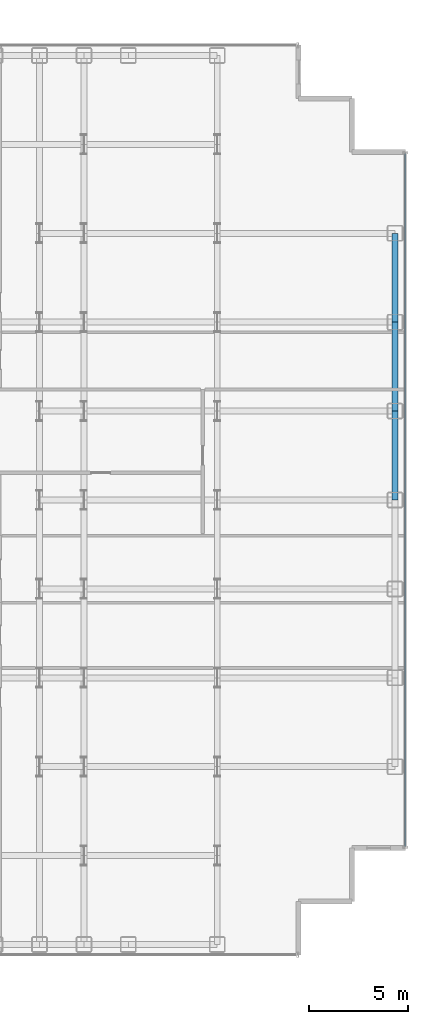
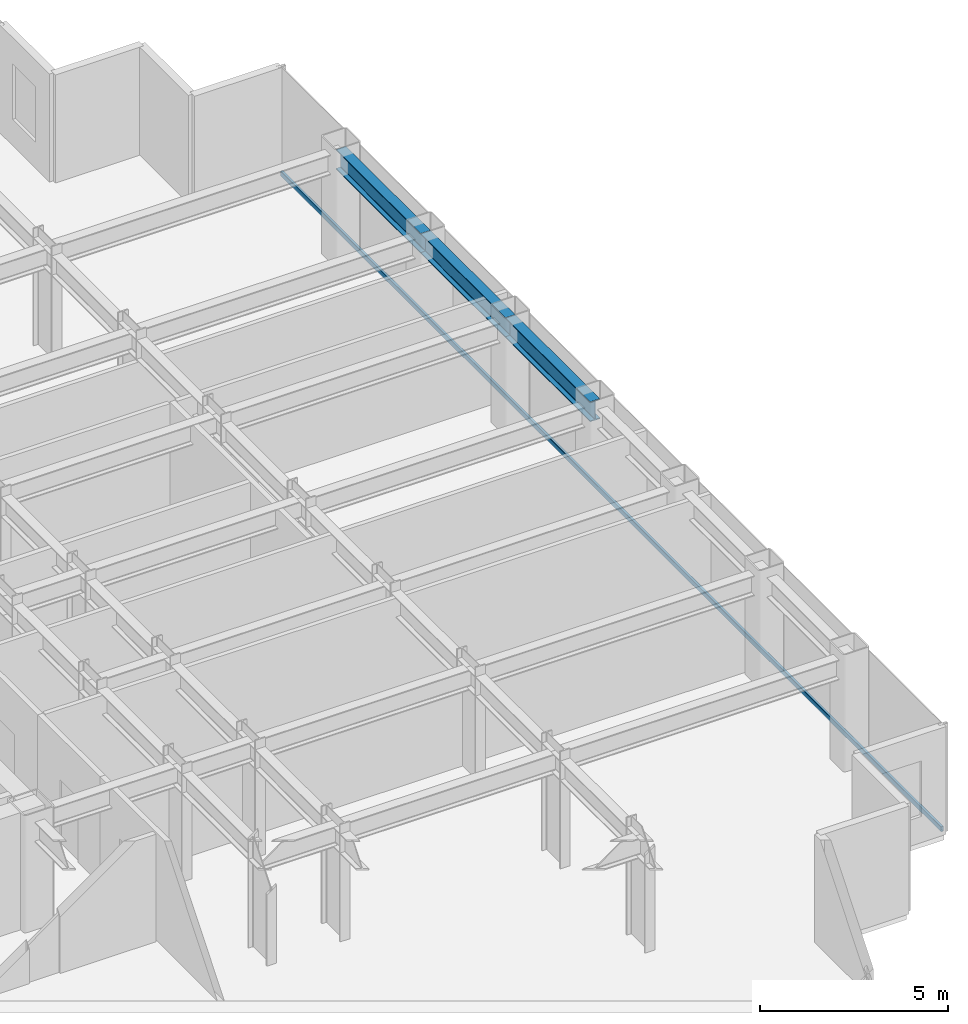
# One storey, part 17 of 26: 3 beams, 1 member, 1 element without a shape of its own.
"""IFC4 building model written with IfcOpenShell, lengths in metres."""

from ifc_helpers import new_model, si_unit, direction, frame, origin, origin_2d, place, context, subcontext, project, spatial, hollow_rectangle, i_section, extrude, source, transform, mapped, material, layer, layer_set, material_profile, profile_set, type_object, element, aggregate, save


model = new_model("IFC4")

# Units and contexts
model_context = context("Model", 3, precision=1e-05, world=origin(), true_north=direction((0.0, 1.0)))
body_context = subcontext(model_context, "Body", "Model", "MODEL_VIEW")
ifc_project = project(units=[si_unit("LENGTHUNIT", "METRE"), si_unit("AREAUNIT", "SQUARE_METRE"), si_unit("VOLUMEUNIT", "CUBIC_METRE"), si_unit("PLANEANGLEUNIT", "RADIAN"), si_unit("MASSUNIT", "GRAM", prefix="KILO")], contexts=[model_context])

# Site, building, storey
site_placement = place(None, origin())
site = spatial("IfcSite", under=ifc_project, at=site_placement, CompositionType="ELEMENT")
building_placement = place(site_placement, origin())
building = spatial("IfcBuilding", under=site, at=building_placement, Name="Nefas-Gora Pilgrimage Tower", CompositionType="ELEMENT")
storey_placement = place(building_placement, frame((0.0, 0.0, 140.199951171875)))
storey = spatial("IfcBuildingStorey", under=building, at=storey_placement, Name="L34", CompositionType="ELEMENT", Elevation=140.199951171875)

# Beams
ifc_material_1 = material(Name="Steel S355", Category="steel")
ifc_material_profile_1 = material_profile(ifc_material_1, i_section(OverallWidth=0.300048828125, OverallDepth=0.64990234375, WebThickness=0.01611328125, FlangeThickness=0.031005859375, FilletRadius=0.027099609375, at=origin_2d()), Name="HEB 650")
ifc_profile_set_1 = profile_set([ifc_material_profile_1], Name="Steel S355")
beam_type = type_object("IfcBeamType", Name="BM-SPN-HEB500", PredefinedType="SPANDREL", material=ifc_profile_set_1)
shared_shape_1 = source(origin(), body_context, "Body", "SweptSolid", [
    extrude(i_section(OverallWidth=0.300048828125, OverallDepth=0.64990234375, WebThickness=0.01611328125, FlangeThickness=0.031005859375, FilletRadius=0.027099609375, at=origin_2d()), origin(), (0.0, 0.0, 1.0), 4.5),
])
for number, where, z_axis, x_axis, name in (
    (1, (33.75, 0.0, 3.175048828125), (0.0, 1.0, 0.0), (-1.0, 0.0, 0.0), "L34 SP-02 beam"),
    (2, (33.75, 4.5, 3.175048828125), (0.0, 1.0, 0.0), (-1.0, 0.0, 0.0), "L34 SP-02 beam"),
    (3, (33.75, 9.0, 3.175048828125), (0.0, 1.0, 0.0), (-1.0, 0.0, 0.0), "L34 SP-02 beam"),
):
    element("IfcBeam", number, at=place(storey_placement, frame(where, z_axis=z_axis, x_axis=x_axis)), inside=storey, type_object=beam_type, Name=name, PredefinedType="SPANDREL", context=body_context, shape_type="MappedRepresentation", body=[
        mapped(shared_shape_1, transform((0.0, 0.0, 0.0), x_axis=(1.0, 0.0, 0.0), y_axis=(0.0, 1.0, 0.0), z_axis=(0.0, 0.0, 1.0), scale=1.0)),
    ])

# Curtain wall, member
ifc_material_2 = material(Name="Dark ceramic-fritted solar-control aluminium-glass curtain wall", Category="aluminium")
ifc_layer = layer(ifc_material_2, 0.219970703125)
ifc_layer_set = layer_set([ifc_layer], Name="Dark ceramic-fritted solar-control aluminium-glass curtain wall")
curtain_wall_type = type_object("IfcCurtainWallType", Name="CW-SYS-2", PredefinedType="NOTDEFINED", material=ifc_layer_set)
curtain_wall_placement = place(storey_placement, origin())
curtain_wall = element("IfcCurtainWall", 4, at=curtain_wall_placement, inside=storey, type_object=curtain_wall_type, Name="L34 Unitised Curtain Wall CW2", PredefinedType="NOTDEFINED")
ifc_material_3 = material(Name="Anodised architectural aluminium", Category="aluminium")
ifc_material_profile_2 = material_profile(ifc_material_3, hollow_rectangle(XDim=0.080078125, YDim=0.159912109375, WallThickness=0.00439453125, InnerFilletRadius=0.00439453125, OuterFilletRadius=0.009033203125, at=origin_2d()), Name="ALU TRANSOM 80x160")
ifc_profile_set_2 = profile_set([ifc_material_profile_2], Name="Anodised architectural aluminium")
member_type = type_object("IfcMemberType", Name="CWM-TRN-2", PredefinedType="USERDEFINED", material=ifc_profile_set_2)
shared_shape_2 = source(origin(), body_context, "Body", "SweptSolid", [
    extrude(hollow_rectangle(XDim=0.080078125, YDim=0.159912109375, WallThickness=0.00439453125, InnerFilletRadius=0.00439453125, OuterFilletRadius=0.009033203125, at=origin_2d()), origin(), (0.0, 0.0, 1.0), 35.06005859375),
])
member_placement = place(storey_placement, frame((34.27001953125, -17.530029296875, 0.050048828125), z_axis=(0.0, 1.0, 0.0), x_axis=(-1.0, 0.0, 0.0)))
member = element("IfcMember", 5, at=member_placement, type_object=member_type, Name="CW2 Spandrel Transom", ObjectType="TRANSOM", PredefinedType="USERDEFINED", context=body_context, shape_type="MappedRepresentation", body=[
    mapped(shared_shape_2, transform((0.0, 0.0, 0.0), x_axis=(1.0, 0.0, 0.0), y_axis=(0.0, 1.0, 0.0), z_axis=(0.0, 0.0, 1.0), scale=1.0)),
])
aggregate(curtain_wall, [member])

save(model, "model.ifc")
